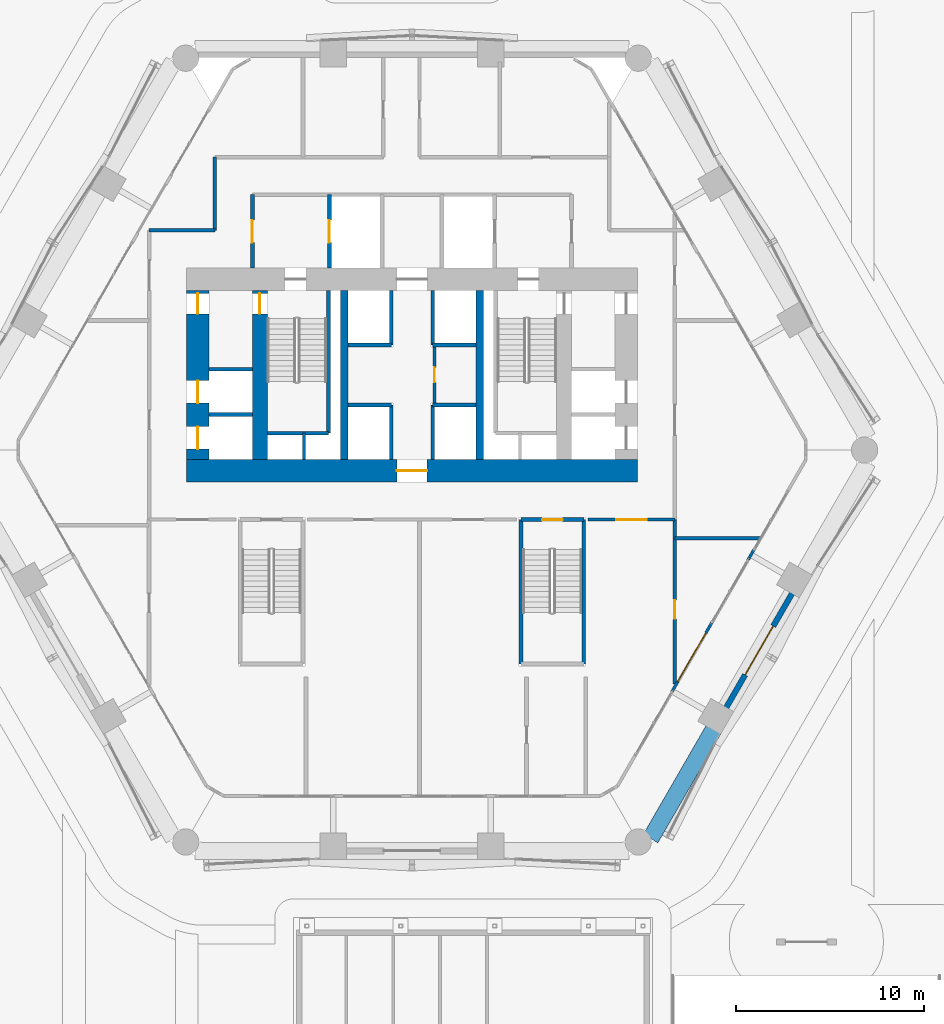
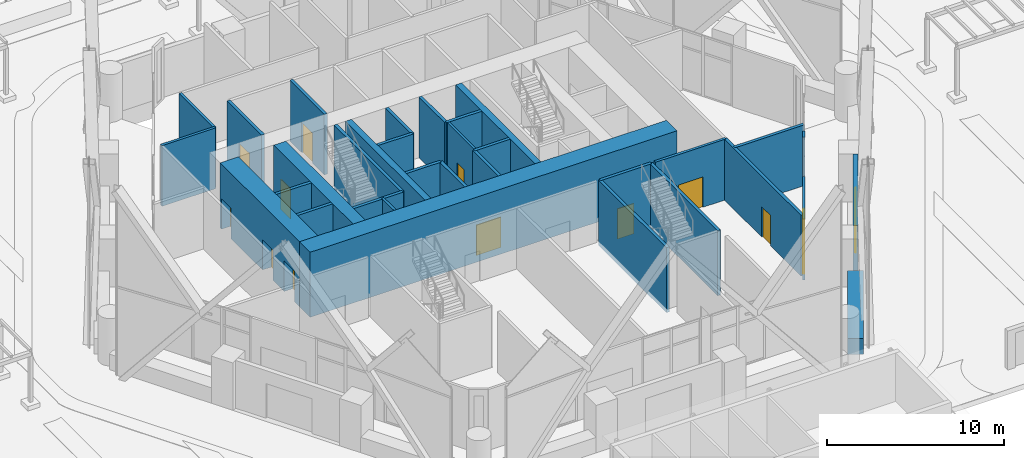
# One storey, part 54 of 71: 33 walls, 13 doors, 13 openings.
"""IFC4 building model written with IfcOpenShell, lengths in metres."""

from ifc_helpers import new_model, si_unit, direction, frame, frame_2d, origin, place, context, subcontext, project, spatial, rectangle, extrude, material, layer, layer_set, type_object, element, fill, save


model = new_model("IFC4")

# Units and contexts
model_context = context("Model", 3, precision=1e-05, world=origin(), true_north=direction((0.0, 1.0)))
body_context = subcontext(model_context, "Body", "Model", "MODEL_VIEW")
ifc_project = project(units=[si_unit("LENGTHUNIT", "METRE"), si_unit("AREAUNIT", "SQUARE_METRE"), si_unit("VOLUMEUNIT", "CUBIC_METRE"), si_unit("PLANEANGLEUNIT", "RADIAN"), si_unit("MASSUNIT", "GRAM", prefix="KILO")], contexts=[model_context])

# Site, building, storey
site_placement = place(None, origin())
site = spatial("IfcSite", under=ifc_project, at=site_placement, CompositionType="ELEMENT")
building_placement = place(site_placement, origin())
building = spatial("IfcBuilding", under=site, at=building_placement, Name="Ostrander Bayou Hotel Tower", CompositionType="ELEMENT")
storey_placement = place(building_placement, frame((0.0, 0.0, 10.0)))
storey = spatial("IfcBuildingStorey", under=building, at=storey_placement, Name="L02", CompositionType="ELEMENT", Elevation=10.0)

# Wall, opening, door
ifc_material_1 = material(Name="Concrete f'c 70 MPa", Category="concrete")
ifc_layer_1 = layer(ifc_material_1, 1.199951171875)
ifc_layer_set_1 = layer_set([ifc_layer_1], Name="CW1 core wall 1200 mm f'c 70 MPa")
wall_type_1 = type_object("IfcWallType", Name="CW1 core wall 1200 mm f'c 70 MPa", PredefinedType="SHEAR", material=ifc_layer_set_1)
wall_1_placement = place(storey_placement, frame((-12.0, -1.10009765625, -0.300048828125), z_axis=(0.0, 0.0, 1.0), x_axis=(1.0, 0.0, 0.0)))
wall_1 = element("IfcWall", 1, at=wall_1_placement, inside=storey, type_object=wall_type_1, Name="CW1 L02 S", PredefinedType="SHEAR", context=body_context, shape_type="SweptSolid", body=[
    extrude(rectangle(XDim=24.0, YDim=1.199951171875, at=frame_2d((12.0, 0.0))), origin(), (0.0, 0.0, 1.0), 4.5),
])
opening_1_placement = place(wall_1_placement, frame((11.199951171875, 0.0, 0.0)))
opening_1 = element("IfcOpeningElement", 2, at=opening_1_placement, cuts=wall_1, Name="Opening T02-001", PredefinedType="OPENING", context=body_context, shape_type="SweptSolid", body=[
    extrude(rectangle(XDim=1.60009765625, YDim=2.10009765625, at=frame_2d((0.800048828125, 1.050048828125))), frame((0.0, 0.60009765625, 0.0), z_axis=(0.0, -1.0, 0.0), x_axis=(1.0, 0.0, 0.0)), (0.0, 0.0, 1.0), 1.199951171875),
])
ifc_material_2 = material(Name="Timber door leaf", Category="wood")
door_type_1 = type_object("IfcDoorType", Name="D13 double door 1600 x 2100 mm, 1 hour", OperationType="SINGLE_SWING_LEFT", PredefinedType="DOOR", material=ifc_material_2)
door_1_placement = place(opening_1_placement, origin())
door_1 = element("IfcDoor", 3, at=door_1_placement, inside=storey, type_object=door_type_1, Name="dr:L02:001", OperationType="DOUBLE_DOOR_SINGLE_SWING", OverallHeight=2.10009765625, OverallWidth=1.60009765625, PredefinedType="DOOR", context=body_context, shape_type="SweptSolid", body=[
    extrude(rectangle(XDim=1.60009765625, YDim=2.10009765625, at=frame_2d((0.800048828125, 1.050048828125))), frame((0.0, 0.02490234375, 0.0), z_axis=(0.0, -1.0, 0.0), x_axis=(1.0, 0.0, 0.0)), (0.0, 0.0, 1.0), 0.050048828125),
])
fill(opening_1, door_1)

# Wall, openings, doors
wall_2_placement = place(storey_placement, frame((-11.39990234375, -0.5, -0.300048828125), z_axis=(0.0, 0.0, 1.0), x_axis=(0.0, 1.0, 0.0)))
wall_2 = element("IfcWall", 4, at=wall_2_placement, inside=storey, type_object=wall_type_1, Name="CW1 L02 RW", PredefinedType="SHEAR", context=body_context, shape_type="SweptSolid", body=[
    extrude(rectangle(XDim=9.0, YDim=1.199951171875, at=frame_2d((4.5, 0.0))), origin(), (0.0, 0.0, 1.0), 4.5),
])
opening_2_placement = place(wall_2_placement, frame((7.75, 0.0, 0.0)))
opening_2 = element("IfcOpeningElement", 5, at=opening_2_placement, cuts=wall_2, Name="Opening T02-014", PredefinedType="OPENING", context=body_context, shape_type="SweptSolid", body=[
    extrude(rectangle(XDim=1.10009765625, YDim=2.10009765625, at=frame_2d((0.550048828125, 1.050048828125))), frame((0.0, 0.60009765625, 0.0), z_axis=(0.0, -1.0, 0.0), x_axis=(1.0, 0.0, 0.0)), (0.0, 0.0, 1.0), 1.199951171875),
])
opening_3_placement = place(wall_2_placement, frame((0.550048828125, 0.0, 0.0)))
opening_3 = element("IfcOpeningElement", 6, at=opening_3_placement, cuts=wall_2, Name="Opening T02-015", PredefinedType="OPENING", context=body_context, shape_type="SweptSolid", body=[
    extrude(rectangle(XDim=1.199951171875, YDim=2.10009765625, at=frame_2d((0.60009765625, 1.050048828125))), frame((0.0, 0.60009765625, 0.0), z_axis=(0.0, -1.0, 0.0), x_axis=(1.0, 0.0, 0.0)), (0.0, 0.0, 1.0), 1.199951171875),
])
opening_4_placement = place(wall_2_placement, frame((3.0, 0.0, 0.0)))
opening_4 = element("IfcOpeningElement", 7, at=opening_4_placement, cuts=wall_2, Name="Opening T02-016", PredefinedType="OPENING", context=body_context, shape_type="SweptSolid", body=[
    extrude(rectangle(XDim=1.199951171875, YDim=2.10009765625, at=frame_2d((0.60009765625, 1.050048828125))), frame((0.0, 0.60009765625, 0.0), z_axis=(0.0, -1.0, 0.0), x_axis=(1.0, 0.0, 0.0)), (0.0, 0.0, 1.0), 1.199951171875),
])
ifc_material_3 = material(Name="Timber door leaf", Category="wood")
door_type_2 = type_object("IfcDoorType", Name="D5 stair door 1100 x 2100 mm, 90 minute", OperationType="SINGLE_SWING_LEFT", PredefinedType="DOOR", material=ifc_material_3)
door_2_placement = place(opening_2_placement, origin())
door_2 = element("IfcDoor", 8, at=door_2_placement, inside=storey, type_object=door_type_2, Name="dr:L02:014", OperationType="SINGLE_SWING_LEFT", OverallHeight=2.10009765625, OverallWidth=1.10009765625, PredefinedType="DOOR", context=body_context, shape_type="SweptSolid", body=[
    extrude(rectangle(XDim=1.10009765625, YDim=2.10009765625, at=frame_2d((0.550048828125, 1.050048828125))), frame((0.0, 0.02490234375, 0.0), z_axis=(0.0, -1.0, 0.0), x_axis=(1.0, 0.0, 0.0)), (0.0, 0.0, 1.0), 0.050048828125),
])
fill(opening_2, door_2)
ifc_material_4 = material(Name="Stainless steel sliding door", Category="steel")
door_type_3 = type_object("IfcDoorType", Name="LD1 lift landing door 1200 x 2100 mm", OperationType="SINGLE_SWING_LEFT", PredefinedType="DOOR", material=ifc_material_4)
door_3_placement = place(opening_3_placement, origin())
door_3 = element("IfcDoor", 9, at=door_3_placement, inside=storey, type_object=door_type_3, Name="dr:L02:015", OperationType="SLIDING_TO_LEFT", OverallHeight=2.10009765625, OverallWidth=1.199951171875, PredefinedType="DOOR", context=body_context, shape_type="SweptSolid", body=[
    extrude(rectangle(XDim=1.199951171875, YDim=2.10009765625, at=frame_2d((0.60009765625, 1.050048828125))), frame((0.0, 0.02490234375, 0.0), z_axis=(0.0, -1.0, 0.0), x_axis=(1.0, 0.0, 0.0)), (0.0, 0.0, 1.0), 0.050048828125),
])
fill(opening_3, door_3)
door_4_placement = place(opening_4_placement, origin())
door_4 = element("IfcDoor", 10, at=door_4_placement, inside=storey, type_object=door_type_3, Name="dr:L02:016", OperationType="SLIDING_TO_LEFT", OverallHeight=2.10009765625, OverallWidth=1.199951171875, PredefinedType="DOOR", context=body_context, shape_type="SweptSolid", body=[
    extrude(rectangle(XDim=1.199951171875, YDim=2.10009765625, at=frame_2d((0.60009765625, 1.050048828125))), frame((0.0, 0.02490234375, 0.0), z_axis=(0.0, -1.0, 0.0), x_axis=(1.0, 0.0, 0.0)), (0.0, 0.0, 1.0), 0.050048828125),
])
fill(opening_4, door_4)

# Wall, opening, door
ifc_material_5 = material(Name="Concrete f'c 70 MPa", Category="concrete")
ifc_layer_2 = layer(ifc_material_5, 0.800048828125)
ifc_layer_set_2 = layer_set([ifc_layer_2], Name="CW2 core spine wall 800 mm f'c 70 MPa")
wall_type_2 = type_object("IfcWallType", Name="CW2 core spine wall 800 mm f'c 70 MPa", PredefinedType="SHEAR", material=ifc_layer_set_2)
wall_3_placement = place(storey_placement, frame((-8.10009765625, -0.5, -0.300048828125), z_axis=(0.0, 0.0, 1.0), x_axis=(0.0, 1.0, 0.0)))
wall_3 = element("IfcWall", 11, at=wall_3_placement, inside=storey, type_object=wall_type_2, Name="CW2 L02 W", PredefinedType="SHEAR", context=body_context, shape_type="SweptSolid", body=[
    extrude(rectangle(XDim=9.0, YDim=0.800048828125, at=frame_2d((4.5, 0.0))), origin(), (0.0, 0.0, 1.0), 4.5),
])
opening_5_placement = place(wall_3_placement, frame((7.75, 0.0, 0.0)))
opening_5 = element("IfcOpeningElement", 12, at=opening_5_placement, cuts=wall_3, Name="Opening T02-004", PredefinedType="OPENING", context=body_context, shape_type="SweptSolid", body=[
    extrude(rectangle(XDim=1.10009765625, YDim=2.10009765625, at=frame_2d((0.550048828125, 1.050048828125))), frame((0.0, 0.39990234375, 0.0), z_axis=(0.0, -1.0, 0.0), x_axis=(1.0, 0.0, 0.0)), (0.0, 0.0, 1.0), 0.800048828125),
])
door_5_placement = place(opening_5_placement, origin())
door_5 = element("IfcDoor", 13, at=door_5_placement, inside=storey, type_object=door_type_2, Name="dr:L02:004", OperationType="SINGLE_SWING_RIGHT", OverallHeight=2.10009765625, OverallWidth=1.10009765625, PredefinedType="DOOR", context=body_context, shape_type="SweptSolid", body=[
    extrude(rectangle(XDim=1.10009765625, YDim=2.10009765625, at=frame_2d((0.550048828125, 1.050048828125))), frame((0.0, 0.02490234375, 0.0), z_axis=(0.0, -1.0, 0.0), x_axis=(1.0, 0.0, 0.0)), (0.0, 0.0, 1.0), 0.050048828125),
])
fill(opening_5, door_5)

# Walls
ifc_material_6 = material(Name="Concrete f'c 70 MPa", Category="concrete")
ifc_layer_3 = layer(ifc_material_6, 0.39990234375)
ifc_layer_set_3 = layer_set([ifc_layer_3], Name="CW3 core bank wall 400 mm f'c 70 MPa")
wall_type_3 = type_object("IfcWallType", Name="CW3 core bank wall 400 mm f'c 70 MPa", PredefinedType="SHEAR", material=ifc_layer_set_3)
for number, where, z_axis, x_axis, name in (
    (14, (-3.60009765625, -0.5, -0.300048828125), (0.0, 0.0, 1.0), (0.0, 1.0, 0.0), "CW3 L02 CW"),
    (15, (3.60009765625, -0.5, -0.300048828125), (0.0, 0.0, 1.0), (0.0, 1.0, 0.0), "CW3 L02 CE"),
):
    element("IfcWall", number, at=place(storey_placement, frame(where, z_axis=z_axis, x_axis=x_axis)), inside=storey, type_object=wall_type_3, Name=name, PredefinedType="SHEAR", context=body_context, shape_type="SweptSolid", body=[
        extrude(rectangle(XDim=9.0, YDim=0.39990234375, at=frame_2d((4.5, 0.0))), origin(), (0.0, 0.0, 1.0), 4.5),
    ])

# Wall, opening, door
ifc_material_7 = material(Name="Aluminium framed insulated wall", Category="aluminium")
ifc_layer_4 = layer(ifc_material_7, 0.14990234375)
ifc_layer_set_4 = layer_set([ifc_layer_4], Name="GW1 glass-line wall 150 mm")
wall_type_4 = type_object("IfcWallType", Name="GW1 glass-line wall 150 mm", PredefinedType="SOLIDWALL", material=ifc_layer_set_4)
wall_4_placement = place(storey_placement, frame((13.8564453125, -12.849853515625, 0.0), z_axis=(0.0, 0.0, 1.0), x_axis=(0.500002543286, 0.866023935413, 0.0)))
wall_4 = element("IfcWall", 16, at=wall_4_placement, inside=storey, type_object=wall_type_4, Name="GW1 L02 SE 2", PredefinedType="SOLIDWALL", context=body_context, shape_type="SweptSolid", body=[
    extrude(rectangle(XDim=4.2001953125, YDim=0.14990234375, at=frame_2d((2.10009765625, 0.0))), origin(), (0.0, 0.0, 1.0), 4.199951171875),
])
opening_6_placement = place(wall_4_placement, frame((0.60009765625, 0.0, 0.0)))
opening_6 = element("IfcOpeningElement", 17, at=opening_6_placement, cuts=wall_4, Name="Opening T02-806", PredefinedType="OPENING", context=body_context, shape_type="SweptSolid", body=[
    extrude(rectangle(XDim=3.0, YDim=2.39990234375, at=frame_2d((1.5, 1.199951171875))), frame((0.0, 0.074951171875, 0.0), z_axis=(0.0, -1.0, 0.0), x_axis=(1.0, 0.0, 0.0)), (0.0, 0.0, 1.0), 0.14990234375),
])
ifc_material_8 = material(Name="Aluminium and clear glass", Category="aluminium")
door_type_4 = type_object("IfcDoorType", Name="SD5 sliding glass door 3000 mm", OperationType="SLIDING_TO_LEFT", PredefinedType="DOOR", material=ifc_material_8)
door_6_placement = place(opening_6_placement, origin())
door_6 = element("IfcDoor", 18, at=door_6_placement, inside=storey, type_object=door_type_4, Name="SD5 L02 SE 2", OperationType="SLIDING_TO_RIGHT", OverallHeight=2.39990234375, OverallWidth=3.0, PredefinedType="DOOR", context=body_context, shape_type="SweptSolid", body=[
    extrude(rectangle(XDim=3.0, YDim=2.39990234375, at=frame_2d((1.5, 1.199951171875))), frame((0.0, 0.02490234375, 0.0), z_axis=(0.0, -1.0, 0.0), x_axis=(1.0, 0.0, 0.0)), (0.0, 0.0, 1.0), 0.050048828125),
])
fill(opening_6, door_6)

# Wall
wall_5_placement = place(storey_placement, frame((17.906494140625, -5.8349609375, 0.0), z_axis=(0.0, 0.0, 1.0), x_axis=(0.50012165622, 0.865955154139, 0.0)))
element("IfcWall", 19, at=wall_5_placement, inside=storey, type_object=wall_type_4, Name="GW1 L02 SE pier 4", PredefinedType="SOLIDWALL", context=body_context, shape_type="SweptSolid", body=[
    extrude(rectangle(XDim=0.599853515625, YDim=0.14990234375, at=frame_2d((0.2998046875, 0.0))), origin(), (0.0, 0.0, 1.0), 4.199951171875),
])

# Wall, opening, door
ifc_material_9 = material(Name="Reconstituted stone on masonry backing", Category="masonry")
ifc_layer_5 = layer(ifc_material_9, 0.300048828125)
ifc_layer_set_5 = layer_set([ifc_layer_5], Name="NW1 north stone wall 300 mm")
wall_type_5 = type_object("IfcWallType", Name="NW1 north stone wall 300 mm", PredefinedType="SOLIDWALL", material=ifc_layer_set_5)
wall_6_placement = place(storey_placement, frame((16.726806640625, -13.72802734375, 0.0), z_axis=(0.0, 0.0, 1.0), x_axis=(0.499997206141, 0.866027016814, 0.0)))
wall_6 = element("IfcWall", 20, at=wall_6_placement, inside=storey, type_object=wall_type_5, Name="NW1 L02 SE-2 deck door wall", PredefinedType="SOLIDWALL", context=body_context, shape_type="SweptSolid", body=[
    extrude(rectangle(XDim=7.05078125, YDim=0.300048828125, at=frame_2d((3.525390625, 0.0))), origin(), (0.0, 0.0, 1.0), 3.300048828125),
])
opening_7_placement = place(wall_6_placement, frame((2.025390625, 0.0, 0.0)))
opening_7 = element("IfcOpeningElement", 21, at=opening_7_placement, cuts=wall_6, Name="Opening T02-802", PredefinedType="OPENING", context=body_context, shape_type="SweptSolid", body=[
    extrude(rectangle(XDim=3.0, YDim=2.39990234375, at=frame_2d((1.5, 1.199951171875))), frame((0.0, 0.14990234375, 0.0), z_axis=(0.0, -1.0, 0.0), x_axis=(1.0, 0.0, 0.0)), (0.0, 0.0, 1.0), 0.300048828125),
])
door_7_placement = place(opening_7_placement, origin())
door_7 = element("IfcDoor", 22, at=door_7_placement, inside=storey, type_object=door_type_4, Name="SD5 L02 SE deck", OperationType="SLIDING_TO_LEFT", OverallHeight=2.39990234375, OverallWidth=3.0, PredefinedType="DOOR", context=body_context, shape_type="SweptSolid", body=[
    extrude(rectangle(XDim=3.0, YDim=2.39990234375, at=frame_2d((1.5, 1.199951171875))), frame((0.0, 0.02490234375, 0.0), z_axis=(0.0, -1.0, 0.0), x_axis=(1.0, 0.0, 0.0)), (0.0, 0.0, 1.0), 0.050048828125),
])
fill(opening_7, door_7)

# Walls
ifc_material_10 = material(Name="Limestone masonry", Category="masonry")
ifc_layer_6 = layer(ifc_material_10, 0.89990234375)
ifc_layer_set_6 = layer_set([ifc_layer_6], Name="PA2 limestone parapet 900 mm")
wall_type_6 = type_object("IfcWallType", Name="PA2 limestone parapet 900 mm", PredefinedType="PARAPET", material=ifc_layer_set_6)
wall_7_placement = place(storey_placement, frame((12.705078125, -20.694091796875, 0.0), z_axis=(0.0, 0.0, 1.0), x_axis=(0.500005133765, 0.866022439784, 0.0)))
element("IfcWall", 23, at=wall_7_placement, inside=storey, type_object=wall_type_6, Name="PA2 L02 SE-1", PredefinedType="PARAPET", context=body_context, shape_type="SweptSolid", body=[
    extrude(rectangle(XDim=6.70361328125, YDim=0.89990234375, at=frame_2d((3.351806640625, 0.0))), origin(), (0.0, 0.0, 1.0), 1.10009765625),
])
ifc_material_11 = material(Name="Gypsum board partition", Category="finish")
ifc_layer_7 = layer(ifc_material_11, 0.199951171875)
ifc_layer_set_7 = layer_set([ifc_layer_7], Name="PT3 demising wall 200 mm acoustic double stud, 1 hour")
wall_type_7 = type_object("IfcWallType", Name="PT3 demising wall 200 mm acoustic double stud, 1 hour", PredefinedType="PARTITIONING", material=ifc_layer_set_7)
wall_8_placement = place(storey_placement, frame((14.0, -4.699951171875, 0.0), z_axis=(0.0, 0.0, 1.0), x_axis=(1.0, 0.0, 0.0)))
element("IfcWall", 24, at=wall_8_placement, inside=storey, type_object=wall_type_7, Name="sw:L02:014", PredefinedType="PARTITIONING", context=body_context, shape_type="SweptSolid", body=[
    extrude(rectangle(XDim=4.54052734375, YDim=0.199951171875, at=frame_2d((2.270263671875, 0.0))), origin(), (0.0, 0.0, 1.0), 4.199951171875),
])

# Wall, opening, door
wall_9_placement = place(storey_placement, frame((14.0, -12.4462890625, 0.0), z_axis=(0.0, 0.0, 1.0), x_axis=(0.0, 1.0, 0.0)))
wall_9 = element("IfcWall", 25, at=wall_9_placement, inside=storey, type_object=wall_type_7, Name="sw:L02:026", PredefinedType="PARTITIONING", context=body_context, shape_type="SweptSolid", body=[
    extrude(rectangle(XDim=8.746337890625, YDim=0.199951171875, at=frame_2d((4.373046875, 0.0))), origin(), (0.0, 0.0, 1.0), 4.199951171875),
])
opening_8_placement = place(wall_9_placement, frame((3.45068359375, 0.0, 0.0)))
opening_8 = element("IfcOpeningElement", 26, at=opening_8_placement, cuts=wall_9, Name="Opening T02-207", PredefinedType="OPENING", context=body_context, shape_type="SweptSolid", body=[
    extrude(rectangle(XDim=1.0, YDim=2.10009765625, at=frame_2d((0.5, 1.050048828125))), frame((0.0, 0.10009765625, 0.0), z_axis=(0.0, -1.0, 0.0), x_axis=(1.0, 0.0, 0.0)), (0.0, 0.0, 1.0), 0.199951171875),
])
ifc_material_12 = material(Name="Timber door leaf", Category="wood")
door_type_5 = type_object("IfcDoorType", Name="D9 service door 1000 x 2100 mm, 30 minute", OperationType="SINGLE_SWING_LEFT", PredefinedType="DOOR", material=ifc_material_12)
door_8_placement = place(opening_8_placement, origin())
door_8 = element("IfcDoor", 27, at=door_8_placement, inside=storey, type_object=door_type_5, Name="dr:L02:207", OperationType="SINGLE_SWING_LEFT", OverallHeight=2.10009765625, OverallWidth=1.0, PredefinedType="DOOR", context=body_context, shape_type="SweptSolid", body=[
    extrude(rectangle(XDim=1.0, YDim=2.10009765625, at=frame_2d((0.5, 1.050048828125))), frame((0.0, 0.02490234375, 0.0), z_axis=(0.0, -1.0, 0.0), x_axis=(1.0, 0.0, 0.0)), (0.0, 0.0, 1.0), 0.050048828125),
])
fill(opening_8, door_8)

ifc_material_13 = material(Name="Gypsum board partition", Category="finish")
ifc_layer_8 = layer(ifc_material_13, 0.175048828125)
ifc_layer_set_8 = layer_set([ifc_layer_8], Name="PT4 corridor wall 175 mm, 1 hour")
wall_type_8 = type_object("IfcWallType", Name="PT4 corridor wall 175 mm, 1 hour", PredefinedType="PARTITIONING", material=ifc_layer_set_8)
wall_10_placement = place(storey_placement, frame((9.3798828125, -3.699951171875, 0.0), z_axis=(0.0, 0.0, 1.0), x_axis=(1.0, 0.0, 0.0)))
wall_10 = element("IfcWall", 28, at=wall_10_placement, inside=storey, type_object=wall_type_8, Name="sw:L02:003", PredefinedType="PARTITIONING", context=body_context, shape_type="SweptSolid", body=[
    extrude(rectangle(XDim=4.6201171875, YDim=0.175048828125, at=frame_2d((2.31005859375, 0.0))), origin(), (0.0, 0.0, 1.0), 4.199951171875),
])
opening_9_placement = place(wall_10_placement, frame((1.510009765625, 0.0, 0.0)))
opening_9 = element("IfcOpeningElement", 29, at=opening_9_placement, cuts=wall_10, Name="Opening T02-204", PredefinedType="OPENING", context=body_context, shape_type="SweptSolid", body=[
    extrude(rectangle(XDim=1.60009765625, YDim=2.10009765625, at=frame_2d((0.800048828125, 1.050048828125))), frame((0.0, 0.08740234375, 0.0), z_axis=(0.0, -1.0, 0.0), x_axis=(1.0, 0.0, 0.0)), (0.0, 0.0, 1.0), 0.175048828125),
])
door_9_placement = place(opening_9_placement, origin())
door_9 = element("IfcDoor", 30, at=door_9_placement, inside=storey, type_object=door_type_1, Name="dr:L02:204", OperationType="DOUBLE_DOOR_SINGLE_SWING", OverallHeight=2.10009765625, OverallWidth=1.60009765625, PredefinedType="DOOR", context=body_context, shape_type="SweptSolid", body=[
    extrude(rectangle(XDim=1.60009765625, YDim=2.10009765625, at=frame_2d((0.800048828125, 1.050048828125))), frame((0.0, 0.02490234375, 0.0), z_axis=(0.0, -1.0, 0.0), x_axis=(1.0, 0.0, 0.0)), (0.0, 0.0, 1.0), 0.050048828125),
])
fill(opening_9, door_9)

# Walls
wall_11_placement = place(storey_placement, frame((-14.0, 11.699951171875, 0.0), z_axis=(0.0, 0.0, 1.0), x_axis=(1.0, 0.0, 0.0)))
element("IfcWall", 31, at=wall_11_placement, inside=storey, type_object=wall_type_8, Name="sw:L02:004", PredefinedType="PARTITIONING", context=body_context, shape_type="SweptSolid", body=[
    extrude(rectangle(XDim=3.5, YDim=0.175048828125, at=frame_2d((1.75, 0.0))), origin(), (0.0, 0.0, 1.0), 4.199951171875),
])
wall_12_placement = place(storey_placement, frame((-10.5, 11.699951171875, 0.0), z_axis=(0.0, 0.0, 1.0), x_axis=(0.0, 1.0, 0.0)))
element("IfcWall", 32, at=wall_12_placement, inside=storey, type_object=wall_type_8, Name="sw:L02:009", PredefinedType="PARTITIONING", context=body_context, shape_type="SweptSolid", body=[
    extrude(rectangle(XDim=3.900146484375, YDim=0.175048828125, at=frame_2d((1.9501953125, 0.0))), origin(), (0.0, 0.0, 1.0), 4.199951171875),
])

# Wall, opening, door
ifc_material_14 = material(Name="Masonry block", Category="masonry")
ifc_layer_9 = layer(ifc_material_14, 0.199951171875)
ifc_layer_set_9 = layer_set([ifc_layer_9], Name="PT5 stair enclosure wall 200 mm masonry, 2 hour")
wall_type_9 = type_object("IfcWallType", Name="PT5 stair enclosure wall 200 mm masonry, 2 hour", PredefinedType="PARTITIONING", material=ifc_layer_set_9)
wall_13_placement = place(storey_placement, frame((-8.5, 9.699951171875, 0.0), z_axis=(0.0, 0.0, 1.0), x_axis=(0.0, 1.0, 0.0)))
wall_13 = element("IfcWall", 33, at=wall_13_placement, inside=storey, type_object=wall_type_9, Name="cs:L02:024", PredefinedType="PARTITIONING", context=body_context, shape_type="SweptSolid", body=[
    extrude(rectangle(XDim=3.900146484375, YDim=0.199951171875, at=frame_2d((1.9501953125, 0.0))), origin(), (0.0, 0.0, 1.0), 4.199951171875),
])
opening_10_placement = place(wall_13_placement, frame((1.35009765625, 0.0, 0.0)))
opening_10 = element("IfcOpeningElement", 34, at=opening_10_placement, cuts=wall_13, Name="Opening T02-010", PredefinedType="OPENING", context=body_context, shape_type="SweptSolid", body=[
    extrude(rectangle(XDim=1.199951171875, YDim=2.10009765625, at=frame_2d((0.60009765625, 1.050048828125))), frame((0.0, 0.10009765625, 0.0), z_axis=(0.0, -1.0, 0.0), x_axis=(1.0, 0.0, 0.0)), (0.0, 0.0, 1.0), 0.199951171875),
])
ifc_material_15 = material(Name="Timber door leaf", Category="wood")
door_type_6 = type_object("IfcDoorType", Name="D7 lobby door 1200 x 2100 mm, 1 hour", OperationType="SINGLE_SWING_LEFT", PredefinedType="DOOR", material=ifc_material_15)
door_10_placement = place(opening_10_placement, origin())
door_10 = element("IfcDoor", 35, at=door_10_placement, inside=storey, type_object=door_type_6, Name="dr:L02:010", OperationType="SINGLE_SWING_LEFT", OverallHeight=2.10009765625, OverallWidth=1.199951171875, PredefinedType="DOOR", context=body_context, shape_type="SweptSolid", body=[
    extrude(rectangle(XDim=1.199951171875, YDim=2.10009765625, at=frame_2d((0.60009765625, 1.050048828125))), frame((0.0, 0.02490234375, 0.0), z_axis=(0.0, -1.0, 0.0), x_axis=(1.0, 0.0, 0.0)), (0.0, 0.0, 1.0), 0.050048828125),
])
fill(opening_10, door_10)

wall_14_placement = place(storey_placement, frame((-4.39990234375, 9.699951171875, 0.0), z_axis=(0.0, 0.0, 1.0), x_axis=(0.0, 1.0, 0.0)))
wall_14 = element("IfcWall", 36, at=wall_14_placement, inside=storey, type_object=wall_type_9, Name="cs:L02:026", PredefinedType="PARTITIONING", context=body_context, shape_type="SweptSolid", body=[
    extrude(rectangle(XDim=3.900146484375, YDim=0.199951171875, at=frame_2d((1.9501953125, 0.0))), origin(), (0.0, 0.0, 1.0), 4.199951171875),
])
opening_11_placement = place(wall_14_placement, frame((1.35009765625, 0.0, 0.0)))
opening_11 = element("IfcOpeningElement", 37, at=opening_11_placement, cuts=wall_14, Name="Opening T02-009", PredefinedType="OPENING", context=body_context, shape_type="SweptSolid", body=[
    extrude(rectangle(XDim=1.199951171875, YDim=2.10009765625, at=frame_2d((0.60009765625, 1.050048828125))), frame((0.0, 0.10009765625, 0.0), z_axis=(0.0, -1.0, 0.0), x_axis=(1.0, 0.0, 0.0)), (0.0, 0.0, 1.0), 0.199951171875),
])
door_11_placement = place(opening_11_placement, origin())
door_11 = element("IfcDoor", 38, at=door_11_placement, inside=storey, type_object=door_type_3, Name="dr:L02:009", OperationType="SLIDING_TO_LEFT", OverallHeight=2.10009765625, OverallWidth=1.199951171875, PredefinedType="DOOR", context=body_context, shape_type="SweptSolid", body=[
    extrude(rectangle(XDim=1.199951171875, YDim=2.10009765625, at=frame_2d((0.60009765625, 1.050048828125))), frame((0.0, 0.02490234375, 0.0), z_axis=(0.0, -1.0, 0.0), x_axis=(1.0, 0.0, 0.0)), (0.0, 0.0, 1.0), 0.050048828125),
])
fill(opening_11, door_11)

# Walls
ifc_material_16 = material(Name="Masonry block", Category="masonry")
ifc_layer_10 = layer(ifc_material_16, 0.199951171875)
ifc_layer_set_10 = layer_set([ifc_layer_10], Name="PT6 lift shaft wall 200 mm masonry, 2 hour")
wall_type_10 = type_object("IfcWallType", Name="PT6 lift shaft wall 200 mm masonry, 2 hour", PredefinedType="PARTITIONING", material=ifc_layer_set_10)
for number, where, z_axis, x_axis, name in (
    (39, (-3.39990234375, 2.39990234375, 0.0), (0.0, 0.0, 1.0), (1.0, 0.0, 0.0), "cs:L02:001"),
    (40, (-3.39990234375, 5.60009765625, 0.0), (0.0, 0.0, 1.0), (1.0, 0.0, 0.0), "cs:L02:002"),
    (41, (1.10009765625, 2.39990234375, 0.0), (0.0, 0.0, 1.0), (1.0, 0.0, 0.0), "cs:L02:003"),
    (42, (1.10009765625, 5.60009765625, 0.0), (0.0, 0.0, 1.0), (1.0, 0.0, 0.0), "cs:L02:004"),
):
    element("IfcWall", number, at=place(storey_placement, frame(where, z_axis=z_axis, x_axis=x_axis)), inside=storey, type_object=wall_type_10, Name=name, PredefinedType="PARTITIONING", context=body_context, shape_type="SweptSolid", body=[
        extrude(rectangle(XDim=2.2998046875, YDim=0.199951171875, at=frame_2d((1.14990234375, 0.0))), origin(), (0.0, 0.0, 1.0), 4.199951171875),
    ])
for number, where, z_axis, x_axis, name in (
    (43, (-1.10009765625, -0.5, 0.0), (0.0, 0.0, 1.0), (0.0, 1.0, 0.0), "cs:L02:005"),
    (44, (1.10009765625, -0.5, 0.0), (0.0, 0.0, 1.0), (0.0, 1.0, 0.0), "cs:L02:006"),
    (45, (-1.10009765625, 5.60009765625, 0.0), (0.0, 0.0, 1.0), (0.0, 1.0, 0.0), "cs:L02:007"),
    (46, (1.10009765625, 5.60009765625, 0.0), (0.0, 0.0, 1.0), (0.0, 1.0, 0.0), "cs:L02:008"),
):
    element("IfcWall", number, at=place(storey_placement, frame(where, z_axis=z_axis, x_axis=x_axis)), inside=storey, type_object=wall_type_10, Name=name, PredefinedType="PARTITIONING", context=body_context, shape_type="SweptSolid", body=[
        extrude(rectangle(XDim=2.89990234375, YDim=0.199951171875, at=frame_2d((1.449951171875, 0.0))), origin(), (0.0, 0.0, 1.0), 4.199951171875),
    ])
for number, where, z_axis, x_axis, name in (
    (47, (-10.800048828125, 1.89990234375, 0.0), (0.0, 0.0, 1.0), (1.0, 0.0, 0.0), "cs:L02:031"),
    (48, (-10.800048828125, 4.300048828125, 0.0), (0.0, 0.0, 1.0), (1.0, 0.0, 0.0), "cs:L02:032"),
):
    element("IfcWall", number, at=place(storey_placement, frame(where, z_axis=z_axis, x_axis=x_axis)), inside=storey, type_object=wall_type_10, Name=name, PredefinedType="PARTITIONING", context=body_context, shape_type="SweptSolid", body=[
        extrude(rectangle(XDim=2.300048828125, YDim=0.199951171875, at=frame_2d((1.14990234375, 0.0))), origin(), (0.0, 0.0, 1.0), 4.199951171875),
    ])
ifc_material_17 = material(Name="Gypsum board partition", Category="finish")
ifc_layer_11 = layer(ifc_material_17, 0.14990234375)
ifc_layer_set_11 = layer_set([ifc_layer_11], Name="PT7 riser wall 150 mm, 2 hour")
wall_type_11 = type_object("IfcWallType", Name="PT7 riser wall 150 mm, 2 hour", PredefinedType="PARTITIONING", material=ifc_layer_set_11)
wall_15_placement = place(storey_placement, frame((-5.75, -0.5, 0.0), z_axis=(0.0, 0.0, 1.0), x_axis=(0.0, 1.0, 0.0)))
element("IfcWall", 49, at=wall_15_placement, inside=storey, type_object=wall_type_11, Name="cs:L02:011", PredefinedType="PARTITIONING", context=body_context, shape_type="SweptSolid", body=[
    extrude(rectangle(XDim=1.39990234375, YDim=0.14990234375, at=frame_2d((0.699951171875, 0.0))), origin(), (0.0, 0.0, 1.0), 4.199951171875),
])

# Wall, opening, door
wall_16_placement = place(storey_placement, frame((1.199951171875, 2.5, 0.0), z_axis=(0.0, 0.0, 1.0), x_axis=(0.0, 1.0, 0.0)))
wall_16 = element("IfcWall", 50, at=wall_16_placement, inside=storey, type_object=wall_type_11, Name="cs:L02:030", PredefinedType="PARTITIONING", context=body_context, shape_type="SweptSolid", body=[
    extrude(rectangle(XDim=3.0, YDim=0.14990234375, at=frame_2d((1.5, 0.0))), origin(), (0.0, 0.0, 1.0), 4.199951171875),
])
opening_12_placement = place(wall_16_placement, frame((1.10009765625, 0.0, 0.0)))
opening_12 = element("IfcOpeningElement", 51, at=opening_12_placement, cuts=wall_16, Name="Opening T02-013", PredefinedType="OPENING", context=body_context, shape_type="SweptSolid", body=[
    extrude(rectangle(XDim=0.800048828125, YDim=2.10009765625, at=frame_2d((0.39990234375, 1.050048828125))), frame((0.0, 0.074951171875, 0.0), z_axis=(0.0, -1.0, 0.0), x_axis=(1.0, 0.0, 0.0)), (0.0, 0.0, 1.0), 0.14990234375),
])
ifc_material_18 = material(Name="Timber door leaf", Category="wood")
door_type_7 = type_object("IfcDoorType", Name="D6 riser door 800 x 2100 mm, 90 minute", OperationType="SINGLE_SWING_LEFT", PredefinedType="DOOR", material=ifc_material_18)
door_12_placement = place(opening_12_placement, origin())
door_12 = element("IfcDoor", 52, at=door_12_placement, inside=storey, type_object=door_type_7, Name="dr:L02:013", OperationType="SINGLE_SWING_RIGHT", OverallHeight=2.10009765625, OverallWidth=0.800048828125, PredefinedType="DOOR", context=body_context, shape_type="SweptSolid", body=[
    extrude(rectangle(XDim=0.800048828125, YDim=2.10009765625, at=frame_2d((0.39990234375, 1.050048828125))), frame((0.0, 0.02490234375, 0.0), z_axis=(0.0, -1.0, 0.0), x_axis=(1.0, 0.0, 0.0)), (0.0, 0.0, 1.0), 0.050048828125),
])
fill(opening_12, door_12)

# Walls
ifc_material_19 = material(Name="Concrete f'c 45 MPa", Category="concrete")
ifc_layer_12 = layer(ifc_material_19, 0.199951171875)
ifc_layer_set_12 = layer_set([ifc_layer_12], Name="SW5 stair enclosure wall 200 mm f'c 45 MPa")
wall_type_12 = type_object("IfcWallType", Name="SW5 stair enclosure wall 200 mm f'c 45 MPa", PredefinedType="SOLIDWALL", material=ifc_layer_set_12)
wall_17_placement = place(storey_placement, frame((-4.449951171875, 0.89990234375, -0.300048828125), z_axis=(0.0, 0.0, 1.0), x_axis=(0.0, 1.0, 0.0)))
element("IfcWall", 53, at=wall_17_placement, inside=storey, type_object=wall_type_12, Name="cs:L02:009", PredefinedType="SOLIDWALL", context=body_context, shape_type="SweptSolid", body=[
    extrude(rectangle(XDim=7.60009765625, YDim=0.199951171875, at=frame_2d((3.800048828125, 0.0))), origin(), (0.0, 0.0, 1.0), 4.5),
])
wall_18_placement = place(storey_placement, frame((-7.699951171875, 0.89990234375, -0.300048828125), z_axis=(0.0, 0.0, 1.0), x_axis=(1.0, 0.0, 0.0)))
element("IfcWall", 54, at=wall_18_placement, inside=storey, type_object=wall_type_12, Name="cs:L02:010", PredefinedType="SOLIDWALL", context=body_context, shape_type="SweptSolid", body=[
    extrude(rectangle(XDim=3.25, YDim=0.199951171875, at=frame_2d((1.625, 0.0))), origin(), (0.0, 0.0, 1.0), 4.5),
])

# Wall, opening, door
wall_19_placement = place(storey_placement, frame((5.800048828125, -3.699951171875, -0.300048828125), z_axis=(0.0, 0.0, 1.0), x_axis=(1.0, 0.0, 0.0)))
wall_19 = element("IfcWall", 55, at=wall_19_placement, inside=storey, type_object=wall_type_12, Name="cs:L02:015", PredefinedType="SOLIDWALL", context=body_context, shape_type="SweptSolid", body=[
    extrude(rectangle(XDim=3.349853515625, YDim=0.199951171875, at=frame_2d((1.6748046875, 0.0))), origin(), (0.0, 0.0, 1.0), 4.5),
])
opening_13_placement = place(wall_19_placement, frame((1.125, 0.0, 0.0)))
opening_13 = element("IfcOpeningElement", 56, at=opening_13_placement, cuts=wall_19, Name="Opening T02-007", PredefinedType="OPENING", context=body_context, shape_type="SweptSolid", body=[
    extrude(rectangle(XDim=1.10009765625, YDim=2.10009765625, at=frame_2d((0.550048828125, 1.050048828125))), frame((0.0, 0.10009765625, 0.0), z_axis=(0.0, -1.0, 0.0), x_axis=(1.0, 0.0, 0.0)), (0.0, 0.0, 1.0), 0.199951171875),
])
door_13_placement = place(opening_13_placement, origin())
door_13 = element("IfcDoor", 57, at=door_13_placement, inside=storey, type_object=door_type_2, Name="dr:L02:007", OperationType="SINGLE_SWING_LEFT", OverallHeight=2.10009765625, OverallWidth=1.10009765625, PredefinedType="DOOR", context=body_context, shape_type="SweptSolid", body=[
    extrude(rectangle(XDim=1.10009765625, YDim=2.10009765625, at=frame_2d((0.550048828125, 1.050048828125))), frame((0.0, 0.02490234375, 0.0), z_axis=(0.0, -1.0, 0.0), x_axis=(1.0, 0.0, 0.0)), (0.0, 0.0, 1.0), 0.050048828125),
])
fill(opening_13, door_13)

# Walls
for number, where, z_axis, x_axis, name in (
    (58, (5.800048828125, -3.699951171875, -0.300048828125), (0.0, 0.0, 1.0), (0.0, -1.0, 0.0), "cs:L02:016"),
    (59, (9.14990234375, -3.699951171875, -0.300048828125), (0.0, 0.0, 1.0), (0.0, -1.0, 0.0), "cs:L02:017"),
):
    element("IfcWall", number, at=place(storey_placement, frame(where, z_axis=z_axis, x_axis=x_axis)), inside=storey, type_object=wall_type_12, Name=name, PredefinedType="SOLIDWALL", context=body_context, shape_type="SweptSolid", body=[
        extrude(rectangle(XDim=7.699951171875, YDim=0.199951171875, at=frame_2d((3.85009765625, 0.0))), origin(), (0.0, 0.0, 1.0), 4.5),
    ])

save(model, "model.ifc")
